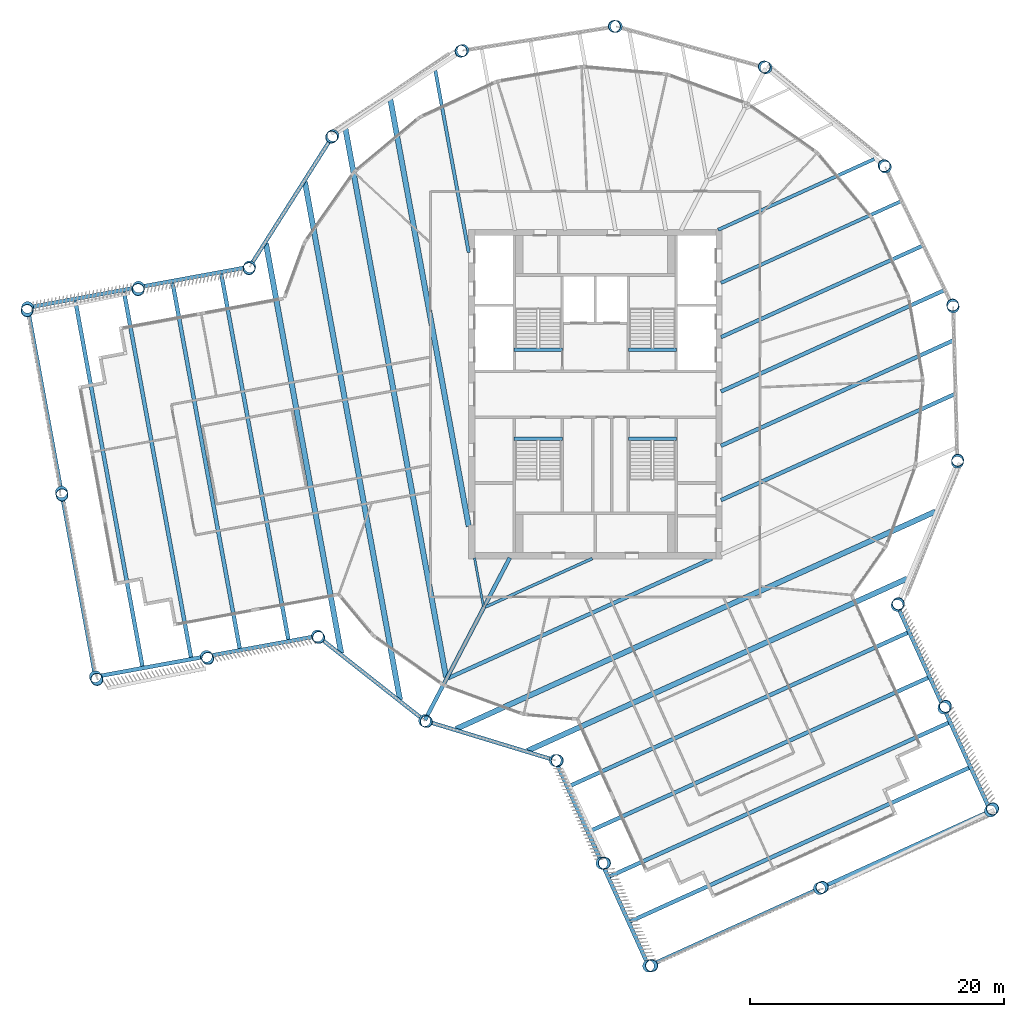
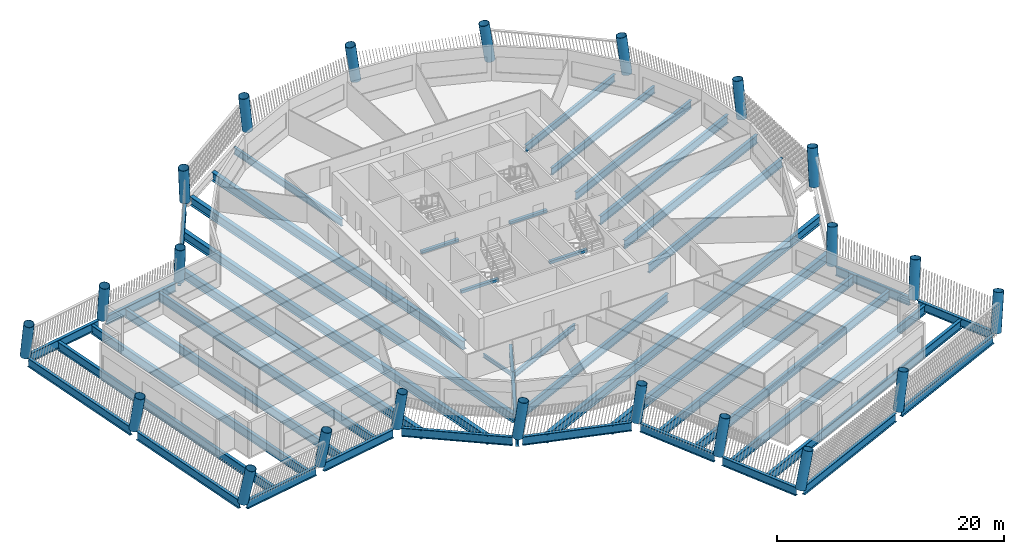
# One storey, part 1 of 15: 44 beams, 22 columns.
"""IFC4 building model written with IfcOpenShell, lengths in metres."""

from ifc_helpers import new_model, si_unit, direction, frame, origin, origin_2d, place, context, subcontext, project, spatial, rectangle, hollow_circle, i_section, extrude, material, material_profile, profile_set, type_object, element, save


model = new_model("IFC4")

# Units and contexts
model_context = context("Model", 3, precision=1e-05, world=origin(), true_north=direction((0.0, 1.0)))
body_context = subcontext(model_context, "Body", "Model", "MODEL_VIEW")
ifc_project = project(units=[si_unit("LENGTHUNIT", "METRE"), si_unit("AREAUNIT", "SQUARE_METRE"), si_unit("VOLUMEUNIT", "CUBIC_METRE"), si_unit("PLANEANGLEUNIT", "RADIAN"), si_unit("MASSUNIT", "GRAM", prefix="KILO")], contexts=[model_context])

# Site, building, storey
site_placement = place(None, origin())
site = spatial("IfcSite", under=ifc_project, at=site_placement, CompositionType="ELEMENT")
building_placement = place(site_placement, origin())
building = spatial("IfcBuilding", under=site, at=building_placement, Name="Tarsis Ring Headquarters", CompositionType="ELEMENT")
storey_placement = place(building_placement, frame((0.0, 0.0, 327.5)))
storey = spatial("IfcBuildingStorey", under=building, at=storey_placement, Name="L77", CompositionType="ELEMENT", Elevation=327.5)

# Columns
ifc_material_1 = material(Name="Structural steel S355", Category="steel")
ifc_material_profile_1 = material_profile(ifc_material_1, hollow_circle(Radius=0.482666015625, WallThickness=0.0400390625, at=origin_2d()), Name="CHS 965x40")
ifc_profile_set_1 = profile_set([ifc_material_profile_1], Name="Structural steel S355")
column_type = type_object("IfcColumnType", Name="XC Exo column CHS 965x40", PredefinedType="COLUMN", material=ifc_profile_set_1)
for number, where, z_axis, x_axis, name in (
    (1, (-13.4580078125, -25.742919921875, 0.001220703125), (0.119302596624, -0.061016884746, 0.990981246147), (0.455347733368, 0.890313676025, 0.0), "Exo column XC7 F1"),
    (2, (-3.152099609375, -28.876953125, 0.001220703125), (0.133269986867, -0.013345620483, 0.990989911661), (0.099641375968, 0.995023414898, 0.0), "Exo column XC7 AK"),
):
    element("IfcColumn", number, at=place(storey_placement, frame(where, z_axis=z_axis, x_axis=x_axis)), inside=storey, type_object=column_type, Name=name, PredefinedType="COLUMN", context=body_context, shape_type="SweptSolid", body=[
        extrude(hollow_circle(Radius=0.482666015625, WallThickness=0.0400390625, at=origin_2d()), origin(), (0.0, 0.0, 1.0), 3.93310546875),
    ])
column_1_placement = place(storey_placement, frame((0.525390625, -36.984130859375, 0.001220703125), z_axis=(0.169581018682, 0.003950922896, 0.985508329904), x_axis=(-0.023291822845, 0.999728708695, 0.0)))
element("IfcColumn", 3, at=column_1_placement, inside=storey, type_object=column_type, Name="Exo column XC7 AI1", PredefinedType="COLUMN", context=body_context, shape_type="SweptSolid", body=[
    extrude(hollow_circle(Radius=0.482666015625, WallThickness=0.0400390625, at=origin_2d()), origin(), (0.0, 0.0, 1.0), 3.954833984375),
])
column_2_placement = place(storey_placement, frame((4.203125, -45.091064453125, 0.00146484375), z_axis=(0.205177315962, 0.020965235154, 0.978500244215), x_axis=(-0.101651764224, 0.99482004344, 0.0)))
element("IfcColumn", 4, at=column_2_placement, inside=storey, type_object=column_type, Name="Exo column XC7 AT1", PredefinedType="COLUMN", context=body_context, shape_type="SweptSolid", body=[
    extrude(hollow_circle(Radius=0.482666015625, WallThickness=0.0400390625, at=origin_2d()), origin(), (0.0, 0.0, 1.0), 3.982666015625),
])
column_3_placement = place(storey_placement, frame((17.68115234375, -38.97705078125, 0.00146484375), z_axis=(0.177197545804, 0.082270289123, 0.98073066093), x_axis=(-0.421111306455, 0.907008967748, 0.0)))
element("IfcColumn", 5, at=column_3_placement, inside=storey, type_object=column_type, Name="Exo column XC7 AT2", PredefinedType="COLUMN", context=body_context, shape_type="SweptSolid", body=[
    extrude(hollow_circle(Radius=0.482666015625, WallThickness=0.0400390625, at=origin_2d()), origin(), (0.0, 0.0, 1.0), 3.9736328125),
])
column_4_placement = place(storey_placement, frame((31.1591796875, -32.863037109375, 0.00146484375), z_axis=(0.14835088572, 0.143262818152, 0.978502825566), x_axis=(-0.694663471538, 0.719334874249, 0.0)))
element("IfcColumn", 6, at=column_4_placement, inside=storey, type_object=column_type, Name="Exo column XC7 AT3", PredefinedType="COLUMN", context=body_context, shape_type="SweptSolid", body=[
    extrude(hollow_circle(Radius=0.482666015625, WallThickness=0.0400390625, at=origin_2d()), origin(), (0.0, 0.0, 1.0), 3.982666015625),
])
column_5_placement = place(storey_placement, frame((27.481689453125, -24.756103515625, 0.001220703125), z_axis=(0.112353989636, 0.127108167396, 0.985504994809), x_axis=(-0.749253495394, 0.662283322786, 0.0)))
element("IfcColumn", 7, at=column_5_placement, inside=storey, type_object=column_type, Name="Exo column XC7 AO1", PredefinedType="COLUMN", context=body_context, shape_type="SweptSolid", body=[
    extrude(hollow_circle(Radius=0.482666015625, WallThickness=0.0400390625, at=origin_2d()), origin(), (0.0, 0.0, 1.0), 3.954833984375),
])
for number, where, z_axis, x_axis, name in (
    (8, (23.803955078125, -16.64892578125, 0.001220703125), (0.075790212356, 0.110488597865, 0.990983407254), (-0.824636236479, 0.565663395922, 0.0), "Exo column XC7 AJ"),
    (9, (28.55029296875, -5.357177734375, 0.001220703125), (0.023525380098, 0.131903516379, 0.990983359526), (-0.984464775987, 0.175582188282, 0.0), "Exo column XC7 R1"),
    (10, (28.22021484375, 6.887451171875, 0.001220703125), (-0.032960414436, 0.129855342748, 0.990984965093), (-0.969264097404, -0.246022579217, 0.0), "Exo column XC7 R2"),
    (11, (22.87255859375, 17.9072265625, 0.001220703125), (-0.083549493553, 0.104716192886, 0.990986377845), (-0.78168184564, -0.623677394328, 0.0), "Exo column XC7 R3"),
    (12, (13.4580078125, 25.742919921875, 0.001220703125), (-0.119302596624, 0.061016884746, 0.990981246147), (-0.455347733368, -0.890313676025, 0.0), "Exo column XC7 R4"),
    (13, (1.650390625, 29.00146484375, 0.001220703125), (-0.133827785303, 0.00645551469, 0.990983577165), (-0.048181453771, -0.99883859933, 0.0), "Exo column XC7 R5"),
    (14, (-10.450439453125, 27.103515625, 0.001220703125), (-0.124579179145, -0.049285435098, 0.990984850546), (0.367873201354, -0.929875963624, 0.0), "Exo column XC7 R6"),
    (15, (-20.693115234375, 20.386474609375, 0.001220703125), (-0.093170555928, -0.096274172048, 0.990984627179), (0.71859467299, -0.695429145169, 0.0), "Exo column XC7 R7"),
    (16, (-27.256591796875, 10.04443359375, 0.001220703125), (-0.045188615366, -0.126130860471, 0.990983852077), (0.941406029462, -0.337275388508, 0.0), "Exo column XC7 BJ"),
):
    element("IfcColumn", number, at=place(storey_placement, frame(where, z_axis=z_axis, x_axis=x_axis)), inside=storey, type_object=column_type, Name=name, PredefinedType="COLUMN", context=body_context, shape_type="SweptSolid", body=[
        extrude(hollow_circle(Radius=0.482666015625, WallThickness=0.0400390625, at=origin_2d()), origin(), (0.0, 0.0, 1.0), 3.93310546875),
    ])
column_6_placement = place(storey_placement, frame((-36.0126953125, 8.4375, 0.001220703125), z_axis=(-0.037163364243, -0.165506610524, 0.985508217232), x_axis=(0.975705139473, -0.219087838106, 0.0)))
element("IfcColumn", 17, at=column_6_placement, inside=storey, type_object=column_type, Name="Exo column XC7 BO1", PredefinedType="COLUMN", context=body_context, shape_type="SweptSolid", body=[
    extrude(hollow_circle(Radius=0.482666015625, WallThickness=0.0400390625, at=origin_2d()), origin(), (0.0, 0.0, 1.0), 3.954833984375),
])
column_7_placement = place(storey_placement, frame((-44.7685546875, 6.830322265625, 0.00146484375), z_axis=(-0.029241147624, -0.204136313605, 0.978505656986), x_axis=(0.989895914916, -0.141795901326, 0.0)))
element("IfcColumn", 18, at=column_7_placement, inside=storey, type_object=column_type, Name="Exo column XC7 BT3", PredefinedType="COLUMN", context=body_context, shape_type="SweptSolid", body=[
    extrude(hollow_circle(Radius=0.482666015625, WallThickness=0.0400390625, at=origin_2d()), origin(), (0.0, 0.0, 1.0), 3.982666015625),
])
column_8_placement = place(storey_placement, frame((-42.096923828125, -7.7265625, 0.00146484375), z_axis=(0.037049270709, -0.191820602244, 0.980730446195), x_axis=(0.981853589805, 0.189640523591, 0.0)))
element("IfcColumn", 19, at=column_8_placement, inside=storey, type_object=column_type, Name="Exo column XC7 BT2", PredefinedType="COLUMN", context=body_context, shape_type="SweptSolid", body=[
    extrude(hollow_circle(Radius=0.482666015625, WallThickness=0.0400390625, at=origin_2d()), origin(), (0.0, 0.0, 1.0), 3.9736328125),
])
column_9_placement = place(storey_placement, frame((-39.425048828125, -22.283447265625, 0.00146484375), z_axis=(0.103110630477, -0.17857388025, 0.978508848798), x_axis=(0.866002403241, 0.500039835994, 0.0)))
element("IfcColumn", 20, at=column_9_placement, inside=storey, type_object=column_type, Name="Exo column XC7 BT1", PredefinedType="COLUMN", context=body_context, shape_type="SweptSolid", body=[
    extrude(hollow_circle(Radius=0.482666015625, WallThickness=0.0400390625, at=origin_2d()), origin(), (0.0, 0.0, 1.0), 3.982666015625),
])
column_10_placement = place(storey_placement, frame((-30.6689453125, -20.67626953125, 0.001220703125), z_axis=(0.096057411993, -0.139764769121, 0.985514476258), x_axis=(0.824126883633, 0.566405225677, 0.0)))
element("IfcColumn", 21, at=column_10_placement, inside=storey, type_object=column_type, Name="Exo column XC7 BI1", PredefinedType="COLUMN", context=body_context, shape_type="SweptSolid", body=[
    extrude(hollow_circle(Radius=0.482666015625, WallThickness=0.0400390625, at=origin_2d()), origin(), (0.0, 0.0, 1.0), 3.954833984375),
])
column_11_placement = place(storey_placement, frame((-21.9130859375, -19.069091796875, 0.001220703125), z_axis=(0.088886970113, -0.10030820091, 0.990977987331), x_axis=(0.748430531181, 0.663213193472, 0.0)))
element("IfcColumn", 22, at=column_11_placement, inside=storey, type_object=column_type, Name="Exo column XC7 BK", PredefinedType="COLUMN", context=body_context, shape_type="SweptSolid", body=[
    extrude(hollow_circle(Radius=0.482666015625, WallThickness=0.0400390625, at=origin_2d()), origin(), (0.0, 0.0, 1.0), 3.93310546875),
])

# Beams
ifc_material_profile_2 = material_profile(ifc_material_1, i_section(OverallWidth=0.177734375, OverallDepth=0.406494140625, WebThickness=0.0078125, FlangeThickness=0.0126953125, at=origin_2d()), Name="W16x40")
ifc_profile_set_2 = profile_set([ifc_material_profile_2], Name="Structural steel S355")
beam_type_1 = type_object("IfcBeamType", Name="FB Floor beam W16x40", PredefinedType="JOIST", material=ifc_profile_set_2)
beam_1_placement = place(storey_placement, frame((-9.527587890625, -12.901611328125, -0.36328125), z_axis=(0.180546464059, -0.983566456482, 0.0), x_axis=(0.983566456482, 0.180546464059, 0.0)))
element("IfcBeam", 23, at=beam_1_placement, inside=storey, type_object=beam_type_1, Name="Floor beam FB1", PredefinedType="JOIST", context=body_context, shape_type="SweptSolid", body=[
    extrude(i_section(OverallWidth=0.177734375, OverallDepth=0.406494140625, WebThickness=0.0078125, FlangeThickness=0.0126953125, at=origin_2d()), origin(), (0.0, 0.0, 1.0), 3.853759765625),
])
ifc_material_profile_3 = material_profile(ifc_material_1, i_section(OverallWidth=0.228271484375, OverallDepth=0.607177734375, WebThickness=0.01123046875, FlangeThickness=0.017333984375, at=origin_2d()), Name="W24x76")
ifc_profile_set_3 = profile_set([ifc_material_profile_3], Name="Structural steel S355")
beam_type_2 = type_object("IfcBeamType", Name="FB Floor beam W24x76", PredefinedType="JOIST", material=ifc_profile_set_3)
beam_2_placement = place(storey_placement, frame((-8.666259765625, -16.77880859375, -0.463623046875), z_axis=(0.910680867103, 0.413110588454, 0.0), x_axis=(-0.413110588454, 0.910680867103, 0.0)))
element("IfcBeam", 24, at=beam_2_placement, inside=storey, type_object=beam_type_2, Name="Floor beam FB4", PredefinedType="JOIST", context=body_context, shape_type="SweptSolid", body=[
    extrude(i_section(OverallWidth=0.228271484375, OverallDepth=0.607177734375, WebThickness=0.01123046875, FlangeThickness=0.017333984375, at=origin_2d()), origin(), (0.0, 0.0, 1.0), 9.2470703125),
])
ifc_material_profile_4 = material_profile(ifc_material_1, i_section(OverallWidth=0.2666015625, OverallDepth=0.7568359375, WebThickness=0.013916015625, FlangeThickness=0.019287109375, at=origin_2d()), Name="W30x108")
ifc_profile_set_4 = profile_set([ifc_material_profile_4], Name="Structural steel S355")
beam_type_3 = type_object("IfcBeamType", Name="FB Floor beam W30x108", PredefinedType="JOIST", material=ifc_profile_set_4)
beam_3_placement = place(storey_placement, frame((9.685791015625, 12.958740234375, -0.538330078125), z_axis=(0.910683947386, 0.413103798063, 0.0), x_axis=(-0.413103798063, 0.910683947386, 0.0)))
element("IfcBeam", 25, at=beam_3_placement, inside=storey, type_object=beam_type_3, Name="Floor beam FB6", PredefinedType="JOIST", context=body_context, shape_type="SweptSolid", body=[
    extrude(i_section(OverallWidth=0.2666015625, OverallDepth=0.7568359375, WebThickness=0.013916015625, FlangeThickness=0.019287109375, at=origin_2d()), origin(), (0.0, 0.0, 1.0), 13.525390625),
])
beam_4_placement = place(storey_placement, frame((9.908935546875, 8.77734375, -0.538330078125), z_axis=(0.910682446787, 0.413107106105, 0.0), x_axis=(-0.413107106105, 0.910682446787, 0.0)))
element("IfcBeam", 26, at=beam_4_placement, inside=storey, type_object=beam_type_3, Name="Floor beam FB6", PredefinedType="JOIST", context=body_context, shape_type="SweptSolid", body=[
    extrude(i_section(OverallWidth=0.2666015625, OverallDepth=0.7568359375, WebThickness=0.013916015625, FlangeThickness=0.019287109375, at=origin_2d()), origin(), (0.0, 0.0, 1.0), 15.59912109375),
])
beam_5_placement = place(storey_placement, frame((-12.628662109375, 25.599853515625, -0.538330078125), z_axis=(0.180516081383, -0.983572033133, 0.0), x_axis=(0.983572033133, 0.180516081383, 0.0)))
element("IfcBeam", 27, at=beam_5_placement, inside=storey, type_object=beam_type_3, Name="Floor beam FB6", PredefinedType="JOIST", context=body_context, shape_type="SweptSolid", body=[
    extrude(i_section(OverallWidth=0.2666015625, OverallDepth=0.7568359375, WebThickness=0.013916015625, FlangeThickness=0.019287109375, at=origin_2d()), origin(), (0.0, 0.0, 1.0), 14.662109375),
])
ifc_material_profile_5 = material_profile(ifc_material_1, i_section(OverallWidth=0.2919921875, OverallDepth=0.835693359375, WebThickness=0.013916015625, FlangeThickness=0.018798828125, at=origin_2d()), Name="W33x118")
ifc_profile_set_5 = profile_set([ifc_material_profile_5], Name="Structural steel S355")
beam_type_4 = type_object("IfcBeamType", Name="FB Floor beam W33x118", PredefinedType="JOIST", material=ifc_profile_set_5)
beam_6_placement = place(storey_placement, frame((9.908935546875, 4.494873046875, -0.577880859375), z_axis=(0.910679705746, 0.413113148594, 0.0), x_axis=(-0.413113148594, 0.910679705746, 0.0)))
element("IfcBeam", 28, at=beam_6_placement, inside=storey, type_object=beam_type_4, Name="Floor beam FB7", PredefinedType="JOIST", context=body_context, shape_type="SweptSolid", body=[
    extrude(i_section(OverallWidth=0.2919921875, OverallDepth=0.835693359375, WebThickness=0.013916015625, FlangeThickness=0.018798828125, at=origin_2d()), origin(), (0.0, 0.0, 1.0), 17.46923828125),
])
ifc_material_profile_6 = material_profile(ifc_material_1, i_section(OverallWidth=0.3046875, OverallDepth=0.904296875, WebThickness=0.01513671875, FlangeThickness=0.02001953125, at=origin_2d()), Name="W36x135")
ifc_profile_set_6 = profile_set([ifc_material_profile_6], Name="Structural steel S355")
beam_type_5 = type_object("IfcBeamType", Name="FB Floor beam W36x135", PredefinedType="JOIST", material=ifc_profile_set_6)
beam_7_placement = place(storey_placement, frame((9.908935546875, 0.21240234375, -0.612060546875), z_axis=(0.910684398469, 0.413102803653, 0.0), x_axis=(-0.413102803653, 0.910684398469, 0.0)))
element("IfcBeam", 29, at=beam_7_placement, inside=storey, type_object=beam_type_5, Name="Floor beam FB8", PredefinedType="JOIST", context=body_context, shape_type="SweptSolid", body=[
    extrude(i_section(OverallWidth=0.3046875, OverallDepth=0.904296875, WebThickness=0.01513671875, FlangeThickness=0.02001953125, at=origin_2d()), origin(), (0.0, 0.0, 1.0), 19.339599609375),
])
beam_8_placement = place(storey_placement, frame((9.908935546875, -4.070068359375, -0.612060546875), z_axis=(0.910682503048, 0.413106982079, 0.0), x_axis=(-0.413106982079, 0.910682503048, 0.0)))
element("IfcBeam", 30, at=beam_8_placement, inside=storey, type_object=beam_type_5, Name="Floor beam FB8", PredefinedType="JOIST", context=body_context, shape_type="SweptSolid", body=[
    extrude(i_section(OverallWidth=0.3046875, OverallDepth=0.904296875, WebThickness=0.01513671875, FlangeThickness=0.02001953125, at=origin_2d()), origin(), (0.0, 0.0, 1.0), 20.11669921875),
])
beam_9_placement = place(storey_placement, frame((9.908935546875, -8.3525390625, -0.612060546875), z_axis=(0.910686324423, 0.413098557864, 0.0), x_axis=(-0.413098557864, 0.910686324423, 0.0)))
element("IfcBeam", 31, at=beam_9_placement, inside=storey, type_object=beam_type_5, Name="Floor beam FB8", PredefinedType="JOIST", context=body_context, shape_type="SweptSolid", body=[
    extrude(i_section(OverallWidth=0.3046875, OverallDepth=0.904296875, WebThickness=0.01513671875, FlangeThickness=0.02001953125, at=origin_2d()), origin(), (0.0, 0.0, 1.0), 20.24169921875),
])
ifc_material_profile_7 = material_profile(ifc_material_1, i_section(OverallWidth=0.3046875, OverallDepth=0.91943359375, WebThickness=0.017333984375, FlangeThickness=0.02783203125, at=origin_2d()), Name="W36x170")
ifc_profile_set_7 = profile_set([ifc_material_profile_7], Name="Structural steel S355")
beam_type_6 = type_object("IfcBeamType", Name="FB Floor beam W36x170", PredefinedType="JOIST", material=ifc_profile_set_7)
beam_10_placement = place(storey_placement, frame((-11.60107421875, -22.392578125, -0.61962890625), z_axis=(0.910682544802, 0.413106890033, 0.0), x_axis=(-0.413106890033, 0.910682544802, 0.0)))
element("IfcBeam", 32, at=beam_10_placement, inside=storey, type_object=beam_type_6, Name="Floor beam FB9", PredefinedType="JOIST", context=body_context, shape_type="SweptSolid", body=[
    extrude(i_section(OverallWidth=0.3046875, OverallDepth=0.91943359375, WebThickness=0.017333984375, FlangeThickness=0.02783203125, at=origin_2d()), origin(), (0.0, 0.0, 1.0), 22.83642578125),
])
ifc_material_profile_8 = material_profile(ifc_material_1, i_section(OverallWidth=0.309814453125, OverallDepth=0.949951171875, WebThickness=0.0244140625, FlangeThickness=0.0439453125, at=origin_2d()), Name="W36x256")
ifc_profile_set_8 = profile_set([ifc_material_profile_8], Name="Structural steel S355")
beam_type_7 = type_object("IfcBeamType", Name="FB Floor beam W36x256", PredefinedType="JOIST", material=ifc_profile_set_8)
beam_11_placement = place(storey_placement, frame((-2.150390625, -30.952880859375, -0.635009765625), z_axis=(0.910685448092, 0.413100489753, 0.0), x_axis=(-0.413100489753, 0.910685448092, 0.0)))
element("IfcBeam", 33, at=beam_11_placement, inside=storey, type_object=beam_type_7, Name="Floor beam FB11", PredefinedType="JOIST", context=body_context, shape_type="SweptSolid", body=[
    extrude(i_section(OverallWidth=0.309814453125, OverallDepth=0.949951171875, WebThickness=0.0244140625, FlangeThickness=0.0439453125, at=origin_2d()), origin(), (0.0, 0.0, 1.0), 29.489990234375),
])
beam_12_placement = place(storey_placement, frame((-0.539306640625, -34.504638671875, -0.635009765625), z_axis=(0.910682333579, 0.413107355668, 0.0), x_axis=(-0.413107355668, 0.910682333579, 0.0)))
element("IfcBeam", 34, at=beam_12_placement, inside=storey, type_object=beam_type_7, Name="Floor beam FB11", PredefinedType="JOIST", context=body_context, shape_type="SweptSolid", body=[
    extrude(i_section(OverallWidth=0.309814453125, OverallDepth=0.949951171875, WebThickness=0.0244140625, FlangeThickness=0.0439453125, at=origin_2d()), origin(), (0.0, 0.0, 1.0), 29.490234375),
])
for number, where, z_axis, x_axis, name in (
    (35, (1.07177734375, -38.05615234375, -0.635009765625), (0.910685448092, 0.413100489753, 0.0), (-0.413100489753, 0.910685448092, 0.0), "Floor beam FB11"),
    (36, (2.68310546875, -41.60791015625, -0.635009765625), (0.910684035293, 0.413103604272, 0.0), (-0.413103604272, 0.910684035293, 0.0), "Floor beam FB11"),
    (37, (-29.51318359375, 9.57470703125, -0.635009765625), (0.180517824755, -0.983571713169, 0.0), (0.983571713169, 0.180517824755, 0.0), "Floor beam FB11"),
    (38, (-33.34912109375, 8.87060546875, -0.635009765625), (0.180517824755, -0.983571713169, 0.0), (0.983571713169, 0.180517824755, 0.0), "Floor beam FB11"),
    (39, (-37.18505859375, 8.16650390625, -0.635009765625), (0.180517824755, -0.983571713169, 0.0), (0.983571713169, 0.180517824755, 0.0), "Floor beam FB11"),
    (40, (-41.02099609375, 7.462646484375, -0.635009765625), (0.180517824755, -0.983571713169, 0.0), (0.983571713169, 0.180517824755, 0.0), "Floor beam FB11"),
):
    element("IfcBeam", number, at=place(storey_placement, frame(where, z_axis=z_axis, x_axis=x_axis)), inside=storey, type_object=beam_type_7, Name=name, PredefinedType="JOIST", context=body_context, shape_type="SweptSolid", body=[
        extrude(i_section(OverallWidth=0.309814453125, OverallDepth=0.949951171875, WebThickness=0.0244140625, FlangeThickness=0.0439453125, at=origin_2d()), origin(), (0.0, 0.0, 1.0), 29.489990234375),
    ])
beam_type_8 = type_object("IfcBeamType", Name="FB Floor beam W36x256 spine", PredefinedType="BEAM", material=ifc_profile_set_8)
beam_13_placement = place(storey_placement, frame((-6.75, -12.911376953125, -0.635009765625), z_axis=(-0.463290772434, -0.886206330477, 0.0), x_axis=(0.886206330477, -0.463290772434, 0.0)))
element("IfcBeam", 41, at=beam_13_placement, inside=storey, type_object=beam_type_8, Name="Floor beam SB11", PredefinedType="BEAM", context=body_context, shape_type="SweptSolid", body=[
    extrude(i_section(OverallWidth=0.309814453125, OverallDepth=0.949951171875, WebThickness=0.0244140625, FlangeThickness=0.0439453125, at=origin_2d()), origin(), (0.0, 0.0, 1.0), 14.421630859375),
])
ifc_material_profile_9 = material_profile(ifc_material_1, i_section(OverallWidth=0.42431640625, OverallDepth=0.947509765625, WebThickness=0.02392578125, FlangeThickness=0.042724609375, at=origin_2d()), Name="W36x302")
ifc_profile_set_9 = profile_set([ifc_material_profile_9], Name="Structural steel S355")
beam_type_9 = type_object("IfcBeamType", Name="FB Floor beam W36x302", PredefinedType="JOIST", material=ifc_profile_set_9)
beam_14_placement = place(storey_placement, frame((-10.99365234375, -26.3994140625, -0.6337890625), z_axis=(0.910684147657, 0.413103356566, 0.0), x_axis=(-0.413103356566, 0.910684147657, 0.0)))
element("IfcBeam", 42, at=beam_14_placement, inside=storey, type_object=beam_type_9, Name="Floor beam FB12", PredefinedType="JOIST", context=body_context, shape_type="SweptSolid", body=[
    extrude(i_section(OverallWidth=0.42431640625, OverallDepth=0.947509765625, WebThickness=0.02392578125, FlangeThickness=0.042724609375, at=origin_2d()), origin(), (0.0, 0.0, 1.0), 41.523681640625),
])
beam_15_placement = place(storey_placement, frame((-5.341796875, -28.1181640625, -0.6337890625), z_axis=(0.910682082547, 0.413107909059, 0.0), x_axis=(-0.413107909059, 0.910682082547, 0.0)))
element("IfcBeam", 43, at=beam_15_placement, inside=storey, type_object=beam_type_9, Name="Floor beam FB12", PredefinedType="JOIST", context=body_context, shape_type="SweptSolid", body=[
    extrude(i_section(OverallWidth=0.42431640625, OverallDepth=0.947509765625, WebThickness=0.02392578125, FlangeThickness=0.042724609375, at=origin_2d()), origin(), (0.0, 0.0, 1.0), 32.875244140625),
])
beam_16_placement = place(storey_placement, frame((-16.16796875, 23.279052734375, -0.6337890625), z_axis=(0.180520289776, -0.983571260753, 0.0), x_axis=(0.983571260753, 0.180520289776, 0.0)))
element("IfcBeam", 44, at=beam_16_placement, inside=storey, type_object=beam_type_9, Name="Floor beam FB12", PredefinedType="JOIST", context=body_context, shape_type="SweptSolid", body=[
    extrude(i_section(OverallWidth=0.42431640625, OverallDepth=0.947509765625, WebThickness=0.02392578125, FlangeThickness=0.042724609375, at=origin_2d()), origin(), (0.0, 0.0, 1.0), 34.267822265625),
])
beam_17_placement = place(storey_placement, frame((-19.70703125, 20.9580078125, -0.6337890625), z_axis=(0.18051947993, -0.983571409388, 0.0), x_axis=(0.983571409388, 0.18051947993, 0.0)))
element("IfcBeam", 45, at=beam_17_placement, inside=storey, type_object=beam_type_9, Name="Floor beam FB12", PredefinedType="JOIST", context=body_context, shape_type="SweptSolid", body=[
    extrude(i_section(OverallWidth=0.42431640625, OverallDepth=0.947509765625, WebThickness=0.02392578125, FlangeThickness=0.042724609375, at=origin_2d()), origin(), (0.0, 0.0, 1.0), 43.986572265625),
])
beam_18_placement = place(storey_placement, frame((-22.8994140625, 16.74755859375, -0.6337890625), z_axis=(0.180519657718, -0.983571376758, 0.0), x_axis=(0.983571376758, 0.180519657718, 0.0)))
element("IfcBeam", 46, at=beam_18_placement, inside=storey, type_object=beam_type_9, Name="Floor beam FB12", PredefinedType="JOIST", context=body_context, shape_type="SweptSolid", body=[
    extrude(i_section(OverallWidth=0.42431640625, OverallDepth=0.947509765625, WebThickness=0.02392578125, FlangeThickness=0.042724609375, at=origin_2d()), origin(), (0.0, 0.0, 1.0), 41.523681640625),
])
beam_19_placement = place(storey_placement, frame((-25.97509765625, 11.9013671875, -0.6337890625), z_axis=(0.18051766336, -0.98357174279, 0.0), x_axis=(0.98357174279, 0.18051766336, 0.0)))
element("IfcBeam", 47, at=beam_19_placement, inside=storey, type_object=beam_type_9, Name="Floor beam FB12", PredefinedType="JOIST", context=body_context, shape_type="SweptSolid", body=[
    extrude(i_section(OverallWidth=0.42431640625, OverallDepth=0.947509765625, WebThickness=0.02392578125, FlangeThickness=0.042724609375, at=origin_2d()), origin(), (0.0, 0.0, 1.0), 32.875244140625),
])
ifc_material_2 = material(Name="Concrete C40/50", Category="concrete")
ifc_material_profile_10 = material_profile(ifc_material_2, rectangle(XDim=0.300048828125, YDim=0.300048828125, at=origin_2d()), Name="Stair head beam 300x300 C40/50")
ifc_profile_set_10 = profile_set([ifc_material_profile_10], Name="Concrete C40/50")
beam_type_10 = type_object("IfcBeamType", Name="Stair head beam 300x300 C40/50", PredefinedType="BEAM", material=ifc_profile_set_10)
for number, where, z_axis, x_axis, name in (
    (48, (-6.39990234375, 3.510009765625, -0.31005859375), (1.0, 0.0, 0.0), (0.0, 1.0, 0.0), "Stair head beam L77 Firefighting stair"),
    (49, (2.60009765625, 3.510009765625, -0.31005859375), (1.0, 0.0, 0.0), (0.0, 1.0, 0.0), "Stair head beam L77 Exit stair B"),
    (50, (-6.39990234375, -3.510009765625, -0.31005859375), (1.0, 0.0, 0.0), (0.0, 1.0, 0.0), "Stair head beam L77 Exit stair C"),
    (51, (2.60009765625, -3.510009765625, -0.31005859375), (1.0, 0.0, 0.0), (0.0, 1.0, 0.0), "Stair head beam L77 Exit stair D"),
):
    element("IfcBeam", number, at=place(storey_placement, frame(where, z_axis=z_axis, x_axis=x_axis)), inside=storey, type_object=beam_type_10, Name=name, PredefinedType="BEAM", context=body_context, shape_type="SweptSolid", body=[
        extrude(rectangle(XDim=0.300048828125, YDim=0.300048828125, at=origin_2d()), origin(), (0.0, 0.0, 1.0), 3.7998046875),
    ])
ifc_material_profile_11 = material_profile(ifc_material_1, i_section(OverallWidth=0.309814453125, OverallDepth=0.93212890625, WebThickness=0.02099609375, FlangeThickness=0.034423828125, at=origin_2d()), Name="W36x210")
ifc_profile_set_11 = profile_set([ifc_material_profile_11], Name="Structural steel S355")
beam_type_11 = type_object("IfcBeamType", Name="XG Ring girder W36x210", PredefinedType="BEAM", material=ifc_profile_set_11)
beam_20_placement = place(storey_placement, frame((-13.04248046875, -25.869384765625, -0.466064453125), z_axis=(0.956743419653, -0.290933031729, 0.0), x_axis=(0.290933031729, 0.956743419653, 0.0)))
element("IfcBeam", 52, at=beam_20_placement, inside=storey, type_object=beam_type_11, Name="Ring girder XG3", PredefinedType="BEAM", context=body_context, shape_type="SweptSolid", body=[
    extrude(i_section(OverallWidth=0.309814453125, OverallDepth=0.93212890625, WebThickness=0.02099609375, FlangeThickness=0.034423828125, at=origin_2d()), origin(), (0.0, 0.0, 1.0), 9.903076171875),
])
beam_21_placement = place(storey_placement, frame((-2.972900390625, -29.2724609375, -0.466064453125), z_axis=(0.413088448628, -0.910690910029, 0.0), x_axis=(0.910690910029, 0.413088448628, 0.0)))
element("IfcBeam", 53, at=beam_21_placement, inside=storey, type_object=beam_type_11, Name="Ring girder XG3", PredefinedType="BEAM", context=body_context, shape_type="SweptSolid", body=[
    extrude(i_section(OverallWidth=0.309814453125, OverallDepth=0.93212890625, WebThickness=0.02099609375, FlangeThickness=0.034423828125, at=origin_2d()), origin(), (0.0, 0.0, 1.0), 8.03369140625),
])
beam_22_placement = place(storey_placement, frame((0.70458984375, -37.379638671875, -0.466064453125), z_axis=(0.413125085378, -0.910674290749, 0.0), x_axis=(0.910674290749, 0.413125085378, 0.0)))
element("IfcBeam", 54, at=beam_22_placement, inside=storey, type_object=beam_type_11, Name="Ring girder XG3", PredefinedType="BEAM", context=body_context, shape_type="SweptSolid", body=[
    extrude(i_section(OverallWidth=0.309814453125, OverallDepth=0.93212890625, WebThickness=0.02099609375, FlangeThickness=0.034423828125, at=origin_2d()), origin(), (0.0, 0.0, 1.0), 8.033447265625),
])
for number, where, z_axis, x_axis, name in (
    (55, (4.598388671875, -44.911865234375, -0.466064453125), (0.910682494262, 0.413107001448, 0.0), (-0.413107001448, 0.910682494262, 0.0), "Ring girder XG3"),
    (56, (18.076416015625, -38.7978515625, -0.466064453125), (0.910682494262, 0.413107001448, 0.0), (-0.413107001448, 0.910682494262, 0.0), "Ring girder XG3"),
):
    element("IfcBeam", number, at=place(storey_placement, frame(where, z_axis=z_axis, x_axis=x_axis)), inside=storey, type_object=beam_type_11, Name=name, PredefinedType="BEAM", context=body_context, shape_type="SweptSolid", body=[
        extrude(i_section(OverallWidth=0.309814453125, OverallDepth=0.93212890625, WebThickness=0.02099609375, FlangeThickness=0.034423828125, at=origin_2d()), origin(), (0.0, 0.0, 1.0), 13.931396484375),
    ])
for number, where, z_axis, x_axis, name in (
    (57, (30.9794921875, -32.4677734375, -0.466064453125), (-0.413099881427, 0.910685724037, 0.0), (-0.910685724037, -0.413099881427, 0.0), "Ring girder XG3"),
    (58, (27.302001953125, -24.360595703125, -0.466064453125), (-0.413099881427, 0.910685724037, 0.0), (-0.910685724037, -0.413099881427, 0.0), "Ring girder XG3"),
):
    element("IfcBeam", number, at=place(storey_placement, frame(where, z_axis=z_axis, x_axis=x_axis)), inside=storey, type_object=beam_type_11, Name=name, PredefinedType="BEAM", context=body_context, shape_type="SweptSolid", body=[
        extrude(i_section(OverallWidth=0.309814453125, OverallDepth=0.93212890625, WebThickness=0.02099609375, FlangeThickness=0.034423828125, at=origin_2d()), origin(), (0.0, 0.0, 1.0), 8.033447265625),
    ])
beam_23_placement = place(storey_placement, frame((-20.92578125, 20.019775390625, -0.466064453125), z_axis=(-0.535856203328, -0.844309261678, 0.0), x_axis=(0.844309261678, -0.535856203328, 0.0)))
element("IfcBeam", 59, at=beam_23_placement, inside=storey, type_object=beam_type_11, Name="Ring girder XG3", PredefinedType="BEAM", context=body_context, shape_type="SweptSolid", body=[
    extrude(i_section(OverallWidth=0.309814453125, OverallDepth=0.93212890625, WebThickness=0.02099609375, FlangeThickness=0.034423828125, at=origin_2d()), origin(), (0.0, 0.0, 1.0), 11.380126953125),
])
for number, where, z_axis, x_axis, name in (
    (60, (-27.683837890625, 9.96630859375, -0.466064453125), (-0.983571951378, -0.18051652684, 0.0), (0.18051652684, -0.983571951378, 0.0), "Ring girder XG3"),
    (61, (-36.439697265625, 8.359375, -0.466064453125), (-0.983566555196, -0.180545926291, 0.0), (0.180545926291, -0.983566555196, 0.0), "Ring girder XG3"),
):
    element("IfcBeam", number, at=place(storey_placement, frame(where, z_axis=z_axis, x_axis=x_axis)), inside=storey, type_object=beam_type_11, Name=name, PredefinedType="BEAM", context=body_context, shape_type="SweptSolid", body=[
        extrude(i_section(OverallWidth=0.309814453125, OverallDepth=0.93212890625, WebThickness=0.02099609375, FlangeThickness=0.034423828125, at=origin_2d()), origin(), (0.0, 0.0, 1.0), 8.03369140625),
    ])
beam_24_placement = place(storey_placement, frame((-44.690185546875, 6.4033203125, -0.466064453125), z_axis=(0.180521432457, -0.98357105103, 0.0), x_axis=(0.98357105103, 0.180521432457, 0.0)))
element("IfcBeam", 62, at=beam_24_placement, inside=storey, type_object=beam_type_11, Name="Ring girder XG3", PredefinedType="BEAM", context=body_context, shape_type="SweptSolid", body=[
    extrude(i_section(OverallWidth=0.309814453125, OverallDepth=0.93212890625, WebThickness=0.02099609375, FlangeThickness=0.034423828125, at=origin_2d()), origin(), (0.0, 0.0, 1.0), 13.93115234375),
])
beam_25_placement = place(storey_placement, frame((-42.0185546875, -8.1533203125, -0.466064453125), z_axis=(0.180518320909, -0.983571622108, 0.0), x_axis=(0.983571622108, 0.180518320909, 0.0)))
element("IfcBeam", 63, at=beam_25_placement, inside=storey, type_object=beam_type_11, Name="Ring girder XG3", PredefinedType="BEAM", context=body_context, shape_type="SweptSolid", body=[
    extrude(i_section(OverallWidth=0.309814453125, OverallDepth=0.93212890625, WebThickness=0.02099609375, FlangeThickness=0.034423828125, at=origin_2d()), origin(), (0.0, 0.0, 1.0), 13.931396484375),
])
for number, where, z_axis, x_axis, name in (
    (64, (-38.998046875, -22.20458984375, -0.466064453125), (0.983571951378, 0.18051652684, 0.0), (-0.18051652684, 0.983571951378, 0.0), "Ring girder XG3"),
    (65, (-30.241943359375, -20.59765625, -0.466064453125), (0.983571951378, 0.18051652684, 0.0), (-0.18051652684, 0.983571951378, 0.0), "Ring girder XG3"),
):
    element("IfcBeam", number, at=place(storey_placement, frame(where, z_axis=z_axis, x_axis=x_axis)), inside=storey, type_object=beam_type_11, Name=name, PredefinedType="BEAM", context=body_context, shape_type="SweptSolid", body=[
        extrude(i_section(OverallWidth=0.309814453125, OverallDepth=0.93212890625, WebThickness=0.02099609375, FlangeThickness=0.034423828125, at=origin_2d()), origin(), (0.0, 0.0, 1.0), 8.03369140625),
    ])
beam_26_placement = place(storey_placement, frame((-21.572265625, -19.338134765625, -0.466064453125), z_axis=(0.784931354209, -0.619582737962, 0.0), x_axis=(0.619582737962, 0.784931354209, 0.0)))
element("IfcBeam", 66, at=beam_26_placement, inside=storey, type_object=beam_type_11, Name="Ring girder XG3", PredefinedType="BEAM", context=body_context, shape_type="SweptSolid", body=[
    extrude(i_section(OverallWidth=0.309814453125, OverallDepth=0.93212890625, WebThickness=0.02099609375, FlangeThickness=0.034423828125, at=origin_2d()), origin(), (0.0, 0.0, 1.0), 9.903076171875),
])

save(model, "model.ifc")
